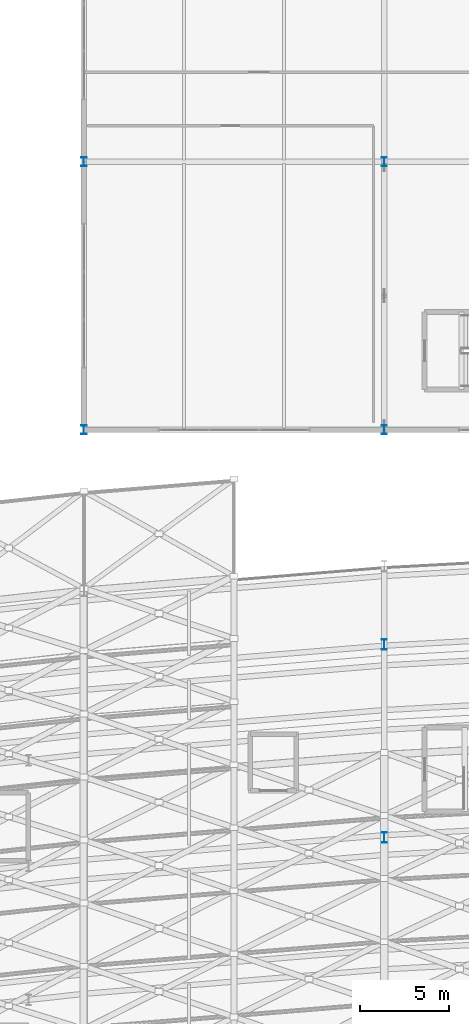
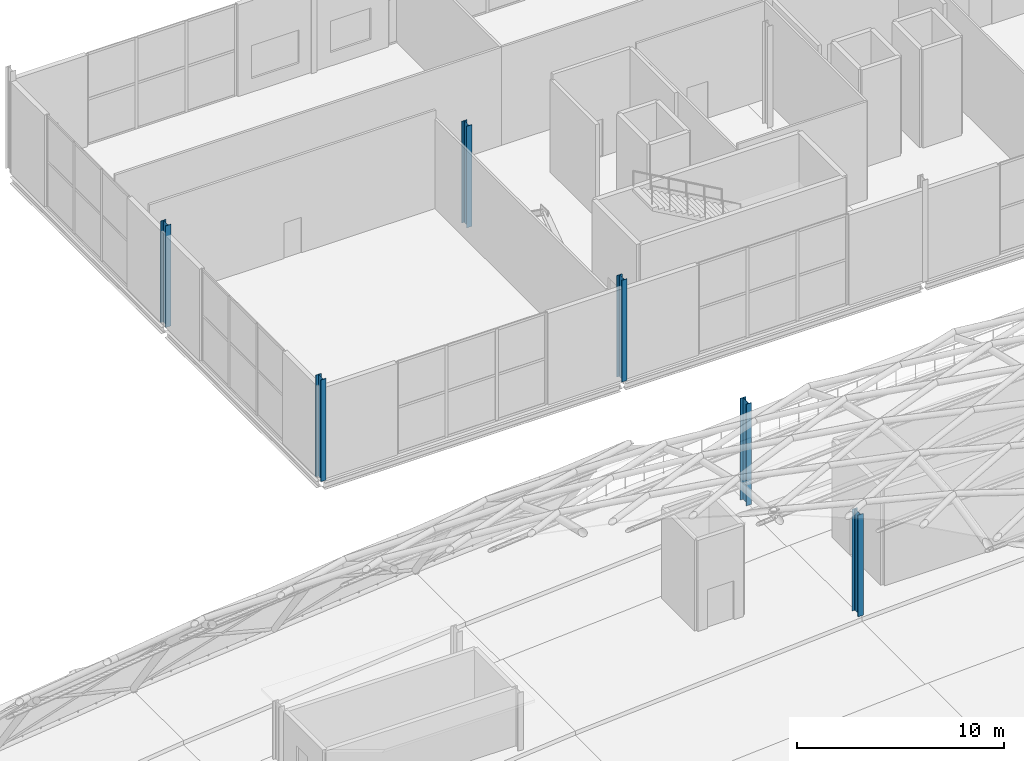
# One storey, part 1 of 100: 6 columns.
"""IFC4 building model written with IfcOpenShell, lengths in metres."""

from ifc_helpers import new_model, si_unit, direction, frame, origin, origin_2d, place, context, subcontext, project, spatial, i_section, extrude, material, material_profile, profile_set, type_object, element, save


model = new_model("IFC4")

# Units and contexts
model_context = context("Model", 3, precision=1e-05, world=origin(), true_north=direction((0.0, 1.0)))
body_context = subcontext(model_context, "Body", "Model", "MODEL_VIEW")
ifc_project = project(units=[si_unit("LENGTHUNIT", "METRE"), si_unit("AREAUNIT", "SQUARE_METRE"), si_unit("VOLUMEUNIT", "CUBIC_METRE"), si_unit("PLANEANGLEUNIT", "RADIAN"), si_unit("MASSUNIT", "GRAM", prefix="KILO")], contexts=[model_context])

# Site, building, storey
site_placement = place(None, origin())
site = spatial("IfcSite", under=ifc_project, at=site_placement, CompositionType="ELEMENT")
building_placement = place(site_placement, origin())
building = spatial("IfcBuilding", under=site, at=building_placement, Name="Kimbaza Rail Terminus", CompositionType="ELEMENT")
storey_placement = place(building_placement, frame((0.0, 0.0, 10.800048828125)))
storey = spatial("IfcBuildingStorey", under=building, at=storey_placement, Name="L02", CompositionType="ELEMENT", Elevation=10.800048828125)

# Columns
ifc_material_1 = material(Name="Steel S355", Category="steel")
ifc_material_profile_1 = material_profile(ifc_material_1, i_section(OverallWidth=0.300048828125, OverallDepth=0.5, WebThickness=0.014404296875, FlangeThickness=0.028076171875, FilletRadius=0.027099609375, at=origin_2d()), Name="HEB 500")
ifc_profile_set_1 = profile_set([ifc_material_profile_1], Name="Steel S355")
column_type_1 = type_object("IfcColumnType", Name="STR-COL-HEB500", PredefinedType="COLUMN", material=ifc_profile_set_1)
for number, where, z_axis, x_axis, name in (
    (1, (55.199951171875, 103.0, 0.0), (0.0, 0.0, 1.0), (1.0, 0.0, 0.0), "Operations Column L02 (0,0)"),
    (2, (55.199951171875, 118.0, 0.0), (0.0, 0.0, 1.0), (1.0, 0.0, 0.0), "Operations Column L02 (0,1)"),
    (3, (72.0, 103.0, 0.0), (0.0, 0.0, 1.0), (1.0, 0.0, 0.0), "Operations Column L02 (1,0)"),
    (4, (72.0, 118.0, 0.0), (0.0, 0.0, 1.0), (1.0, 0.0, 0.0), "Operations Column L02 (1,1)"),
):
    element("IfcColumn", number, at=place(storey_placement, frame(where, z_axis=z_axis, x_axis=x_axis)), inside=storey, type_object=column_type_1, Name=name, PredefinedType="COLUMN", context=body_context, shape_type="SweptSolid", body=[
        extrude(i_section(OverallWidth=0.300048828125, OverallDepth=0.5, WebThickness=0.014404296875, FlangeThickness=0.028076171875, FilletRadius=0.027099609375, at=origin_2d()), origin(), (0.0, 0.0, 1.0), 6.0),
    ])
ifc_material_2 = material(Name="Steel S355", Category="steel")
ifc_material_profile_2 = material_profile(ifc_material_2, i_section(OverallWidth=0.300048828125, OverallDepth=0.60009765625, WebThickness=0.015380859375, FlangeThickness=0.030029296875, FilletRadius=0.027099609375, at=origin_2d()), Name="HEB 600")
ifc_profile_set_2 = profile_set([ifc_material_profile_2], Name="Steel S355")
column_type_2 = type_object("IfcColumnType", Name="STR-COL-HEB600", PredefinedType="COLUMN", material=ifc_profile_set_2)
for number, where, z_axis, x_axis, name in (
    (5, (72.0, 80.199951171875, 0.0), (0.0, 0.0, 1.0), (1.0, 0.0, 0.0), "North Transfer Pier L02 (1,0)"),
    (6, (72.0, 91.0, 0.0), (0.0, 0.0, 1.0), (1.0, 0.0, 0.0), "North Transfer Pier L02 (1,1)"),
):
    element("IfcColumn", number, at=place(storey_placement, frame(where, z_axis=z_axis, x_axis=x_axis)), inside=storey, type_object=column_type_2, Name=name, PredefinedType="COLUMN", context=body_context, shape_type="SweptSolid", body=[
        extrude(i_section(OverallWidth=0.300048828125, OverallDepth=0.60009765625, WebThickness=0.015380859375, FlangeThickness=0.030029296875, FilletRadius=0.027099609375, at=origin_2d()), origin(), (0.0, 0.0, 1.0), 6.0),
    ])

save(model, "model.ifc")
